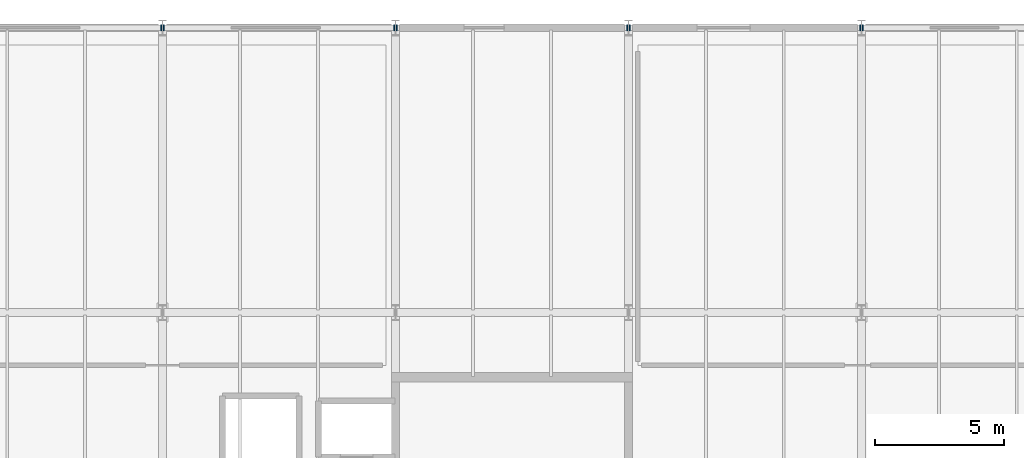
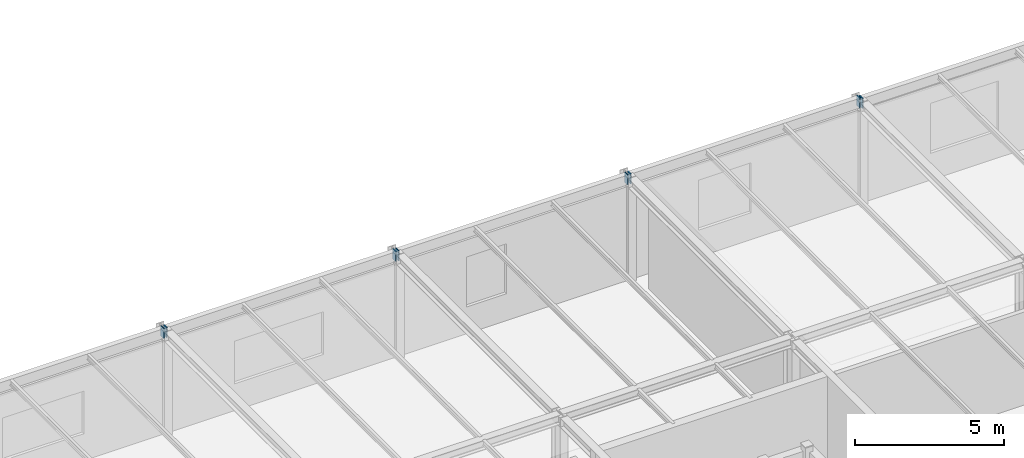
# One storey, part 84 of 105: 8 discrete accessories.
"""IFC4 building model written with IfcOpenShell, lengths in metres."""

from ifc_helpers import new_model, si_unit, direction, frame, origin, origin_2d, place, context, subcontext, project, spatial, rectangle, extrude, material, element, save


model = new_model("IFC4")

# Units and contexts
model_context = context("Model", 3, precision=1e-05, world=origin(), true_north=direction((0.0, 1.0)))
body_context = subcontext(model_context, "Body", "Model", "MODEL_VIEW")
ifc_project = project(units=[si_unit("LENGTHUNIT", "METRE"), si_unit("AREAUNIT", "SQUARE_METRE"), si_unit("VOLUMEUNIT", "CUBIC_METRE"), si_unit("PLANEANGLEUNIT", "RADIAN"), si_unit("MASSUNIT", "GRAM", prefix="KILO")], contexts=[model_context])

# Site, building, storey
site_placement = place(None, origin())
site = spatial("IfcSite", under=ifc_project, at=site_placement, CompositionType="ELEMENT")
building_placement = place(site_placement, origin())
building = spatial("IfcBuilding", under=site, at=building_placement, Name="Marlcrest Central Station", CompositionType="ELEMENT")
storey_placement = place(building_placement, frame((0.0, 0.0, 15.0)))
storey = spatial("IfcBuildingStorey", under=building, at=storey_placement, Name="L03", CompositionType="ELEMENT", Elevation=15.0)

# Discrete accessories
ifc_material = material(Name="Steel S355", Category="steel")
for number, where, z_axis, x_axis, name in (
    (1, (35.925048828125, 132.0, 4.0849609375), (1.0, 0.0, 0.0), (0.0, 1.0, 0.0), "endcap-bm-SP-01-L03-00495-e"),
    (2, (36.03515625, 132.0, 4.0849609375), (1.0, 0.0, 0.0), (0.0, 1.0, 0.0), "endcap-bm-SP-01-L03-00496-s"),
    (3, (44.925048828125, 132.0, 4.0849609375), (1.0, 0.0, 0.0), (0.0, 1.0, 0.0), "endcap-bm-SP-01-L03-00496-e"),
    (4, (45.03515625, 132.0, 4.0849609375), (1.0, 0.0, 0.0), (0.0, 1.0, 0.0), "endcap-bm-SP-01-L03-00497-s"),
    (5, (53.925048828125, 132.0, 4.0849609375), (1.0, 0.0, 0.0), (0.0, 1.0, 0.0), "endcap-bm-SP-01-L03-00497-e"),
    (6, (54.03515625, 132.0, 4.0849609375), (1.0, 0.0, 0.0), (0.0, 1.0, 0.0), "endcap-bm-SP-01-L03-00498-s"),
    (7, (62.925048828125, 132.0, 4.0849609375), (1.0, 0.0, 0.0), (0.0, 1.0, 0.0), "endcap-bm-SP-01-L03-00498-e"),
    (8, (63.03515625, 132.0, 4.034912109375), (1.0, 0.0, 0.0), (0.0, 1.0, 0.0), "endcap-bm-SP-01-L03-00499-s"),
):
    element("IfcDiscreteAccessory", number, at=place(storey_placement, frame(where, z_axis=z_axis, x_axis=x_axis)), inside=storey, material=ifc_material, Name=name, ObjectType="END_CAP_PLATE", PredefinedType="BRACKET", context=body_context, shape_type="SweptSolid", body=[
        extrude(rectangle(XDim=0.216064453125, YDim=0.416015625, at=origin_2d()), origin(), (0.0, 0.0, 1.0), 0.0400390625),
    ])

save(model, "model.ifc")
